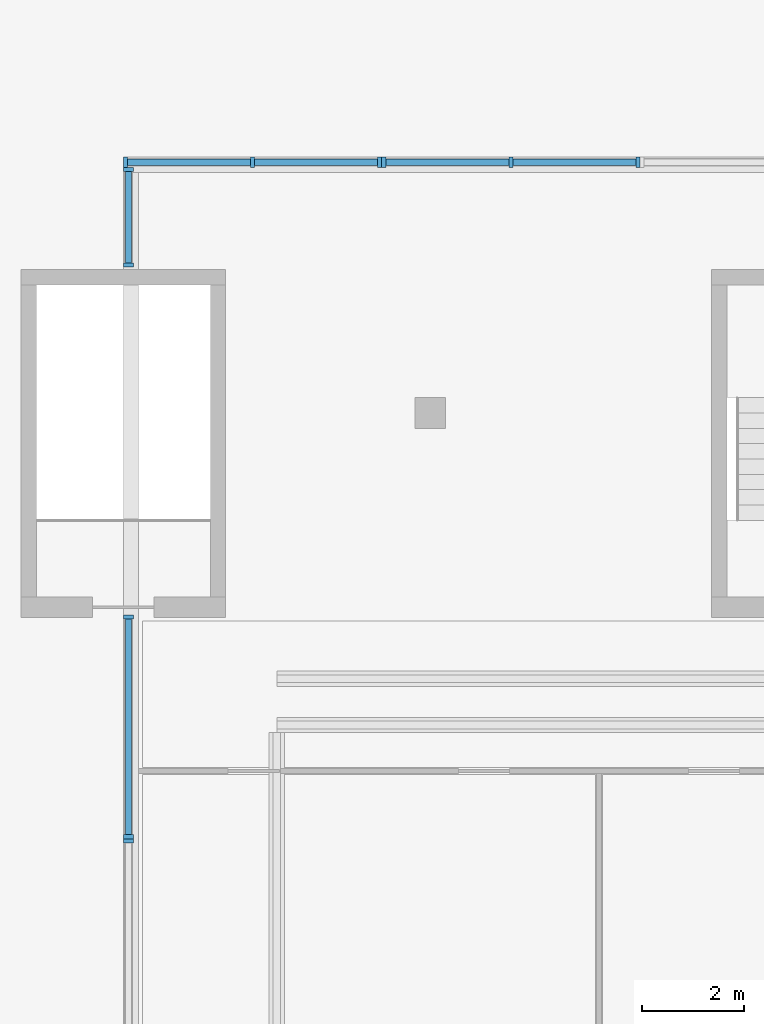
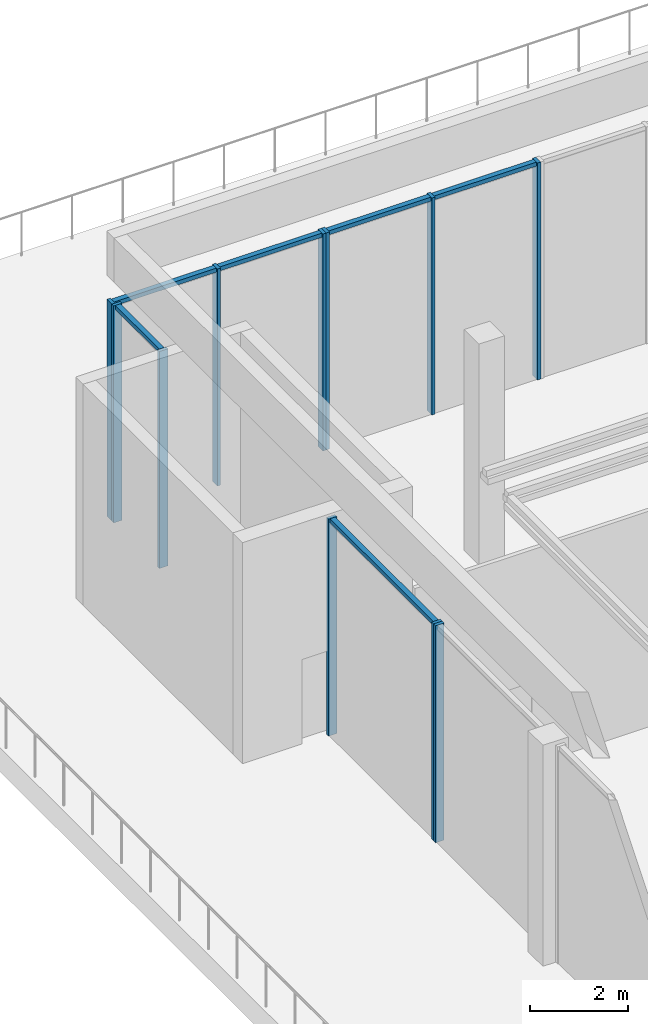
# One storey, part 4 of 11: 17 members, 5 elements without a shape of their own.
"""IFC4 building model written with IfcOpenShell, lengths in metres."""

from ifc_helpers import new_model, si_unit, direction, frame, origin, origin_2d, place, context, subcontext, project, spatial, rectangle, extrude, material, material_profile, profile_set, type_object, element, aggregate, save


model = new_model("IFC4")

# Units and contexts
model_context = context("Model", 3, precision=1e-05, world=origin(), true_north=direction((0.0, 1.0)))
body_context = subcontext(model_context, "Body", "Model", "MODEL_VIEW")
ifc_project = project(units=[si_unit("LENGTHUNIT", "METRE"), si_unit("AREAUNIT", "SQUARE_METRE"), si_unit("VOLUMEUNIT", "CUBIC_METRE"), si_unit("PLANEANGLEUNIT", "RADIAN"), si_unit("MASSUNIT", "GRAM", prefix="KILO")], contexts=[model_context])

# Site, building, storey
site_placement = place(None, origin())
site = spatial("IfcSite", under=ifc_project, at=site_placement, CompositionType="ELEMENT")
building_placement = place(site_placement, origin())
building = spatial("IfcBuilding", under=site, at=building_placement, Name="Calvaro Tower", CompositionType="ELEMENT")
storey_placement = place(building_placement, frame((0.0, 0.0, 271.949951171875)))
storey = spatial("IfcBuildingStorey", under=building, at=storey_placement, Name="L68", CompositionType="ELEMENT", Elevation=271.949951171875)

# Curtain wall, members
ifc_material_1 = material(Name="Anodised aluminium", Category="aluminium")
curtain_wall_type = type_object("IfcCurtainWallType", Name="Louvre wall", PredefinedType="NOTDEFINED", material=ifc_material_1)
curtain_wall_1_placement = place(storey_placement, origin())
curtain_wall_1 = element("IfcCurtainWall", 1, at=curtain_wall_1_placement, inside=storey, type_object=curtain_wall_type, Name="CW8 drum louvre wall", PredefinedType="NOTDEFINED")
ifc_material_2 = material(Name="Anodised aluminium", Category="aluminium")
ifc_material_profile_1 = material_profile(ifc_material_2, rectangle(XDim=0.199951171875, YDim=0.080078125, at=origin_2d()), Name="Mullion LV 80 x 200")
ifc_profile_set_1 = profile_set([ifc_material_profile_1], Name="Anodised aluminium")
member_type_1 = type_object("IfcMemberType", Name="Mullion LV 80 x 200", PredefinedType="MULLION", material=ifc_profile_set_1)
member_1_placement = place(storey_placement, frame((12.0400390625, 36.89990234375, 0.0), z_axis=(0.0, 0.0, 1.0), x_axis=(0.0, 1.0, 0.0)))
member_1 = element("IfcMember", 2, at=member_1_placement, type_object=member_type_1, Name="CW8 mullion 1", PredefinedType="MULLION", context=body_context, shape_type="SweptSolid", body=[
    extrude(rectangle(XDim=0.199951171875, YDim=0.080078125, at=origin_2d()), origin(), (0.0, 0.0, 1.0), 5.400146484375),
])
member_2_placement = place(storey_placement, frame((14.52490234375, 36.89990234375, 0.0), z_axis=(0.0, 0.0, 1.0), x_axis=(0.0, 1.0, 0.0)))
member_2 = element("IfcMember", 3, at=member_2_placement, type_object=member_type_1, Name="CW8 mullion 2", PredefinedType="MULLION", context=body_context, shape_type="SweptSolid", body=[
    extrude(rectangle(XDim=0.199951171875, YDim=0.080078125, at=origin_2d()), origin(), (0.0, 0.0, 1.0), 5.400146484375),
])
member_3_placement = place(storey_placement, frame((17.010009765625, 36.89990234375, 0.0), z_axis=(0.0, 0.0, 1.0), x_axis=(0.0, 1.0, 0.0)))
member_3 = element("IfcMember", 4, at=member_3_placement, type_object=member_type_1, Name="CW8 mullion 3", PredefinedType="MULLION", context=body_context, shape_type="SweptSolid", body=[
    extrude(rectangle(XDim=0.199951171875, YDim=0.080078125, at=origin_2d()), origin(), (0.0, 0.0, 1.0), 5.400146484375),
])

curtain_wall_2_placement = place(storey_placement, origin())
curtain_wall_2 = element("IfcCurtainWall", 5, at=curtain_wall_2_placement, inside=storey, type_object=curtain_wall_type, Name="CW8 drum louvre wall", PredefinedType="NOTDEFINED")
member_4_placement = place(storey_placement, frame((17.090087890625, 36.89990234375, 0.0), z_axis=(0.0, 0.0, 1.0), x_axis=(0.0, 1.0, 0.0)))
member_4 = element("IfcMember", 6, at=member_4_placement, type_object=member_type_1, Name="CW8 mullion 1", PredefinedType="MULLION", context=body_context, shape_type="SweptSolid", body=[
    extrude(rectangle(XDim=0.199951171875, YDim=0.080078125, at=origin_2d()), origin(), (0.0, 0.0, 1.0), 5.400146484375),
])
member_5_placement = place(storey_placement, frame((19.574951171875, 36.89990234375, 0.0), z_axis=(0.0, 0.0, 1.0), x_axis=(0.0, 1.0, 0.0)))
member_5 = element("IfcMember", 7, at=member_5_placement, type_object=member_type_1, Name="CW8 mullion 2", PredefinedType="MULLION", context=body_context, shape_type="SweptSolid", body=[
    extrude(rectangle(XDim=0.199951171875, YDim=0.080078125, at=origin_2d()), origin(), (0.0, 0.0, 1.0), 5.400146484375),
])
member_6_placement = place(storey_placement, frame((22.06005859375, 36.89990234375, 0.0), z_axis=(0.0, 0.0, 1.0), x_axis=(0.0, 1.0, 0.0)))
member_6 = element("IfcMember", 8, at=member_6_placement, type_object=member_type_1, Name="CW8 mullion 3", PredefinedType="MULLION", context=body_context, shape_type="SweptSolid", body=[
    extrude(rectangle(XDim=0.199951171875, YDim=0.080078125, at=origin_2d()), origin(), (0.0, 0.0, 1.0), 5.400146484375),
])

# Curtain wall, member
curtain_wall_3_placement = place(storey_placement, origin())
curtain_wall_3 = element("IfcCurtainWall", 9, at=curtain_wall_3_placement, inside=storey, type_object=curtain_wall_type, Name="CW8 drum louvre wall", PredefinedType="NOTDEFINED")
member_7_placement = place(storey_placement, frame((12.10009765625, 23.635009765625, 0.0), z_axis=(0.0, 0.0, 1.0), x_axis=(-1.0, 0.0, 0.0)))
member_7 = element("IfcMember", 10, at=member_7_placement, type_object=member_type_1, Name="CW8 mullion 2", PredefinedType="MULLION", context=body_context, shape_type="SweptSolid", body=[
    extrude(rectangle(XDim=0.199951171875, YDim=0.080078125, at=origin_2d()), origin(), (0.0, 0.0, 1.0), 5.400146484375),
])
aggregate(curtain_wall_3, [member_7])

# Curtain wall, members
curtain_wall_4_placement = place(storey_placement, origin())
curtain_wall_4 = element("IfcCurtainWall", 11, at=curtain_wall_4_placement, inside=storey, type_object=curtain_wall_type, Name="CW8 drum louvre wall", PredefinedType="NOTDEFINED")
member_8_placement = place(storey_placement, frame((12.10009765625, 23.715087890625, 0.0), z_axis=(0.0, 0.0, 1.0), x_axis=(-1.0, 0.0, 0.0)))
member_8 = element("IfcMember", 12, at=member_8_placement, type_object=member_type_1, Name="CW8 mullion 1", PredefinedType="MULLION", context=body_context, shape_type="SweptSolid", body=[
    extrude(rectangle(XDim=0.199951171875, YDim=0.080078125, at=origin_2d()), origin(), (0.0, 0.0, 1.0), 5.400146484375),
])
member_9_placement = place(storey_placement, frame((12.10009765625, 28.010009765625, 0.0), z_axis=(0.0, 0.0, 1.0), x_axis=(-1.0, 0.0, 0.0)))
member_9 = element("IfcMember", 13, at=member_9_placement, type_object=member_type_1, Name="CW8 mullion 2", PredefinedType="MULLION", context=body_context, shape_type="SweptSolid", body=[
    extrude(rectangle(XDim=0.199951171875, YDim=0.080078125, at=origin_2d()), origin(), (0.0, 0.0, 1.0), 5.400146484375),
])

curtain_wall_5_placement = place(storey_placement, origin())
curtain_wall_5 = element("IfcCurtainWall", 14, at=curtain_wall_5_placement, inside=storey, type_object=curtain_wall_type, Name="CW8 drum louvre wall", PredefinedType="NOTDEFINED")
member_10_placement = place(storey_placement, frame((12.10009765625, 34.889892578125, 0.0), z_axis=(0.0, 0.0, 1.0), x_axis=(-1.0, 0.0, 0.0)))
member_10 = element("IfcMember", 15, at=member_10_placement, type_object=member_type_1, Name="CW8 mullion 1", PredefinedType="MULLION", context=body_context, shape_type="SweptSolid", body=[
    extrude(rectangle(XDim=0.199951171875, YDim=0.080078125, at=origin_2d()), origin(), (0.0, 0.0, 1.0), 5.400146484375),
])
member_11_placement = place(storey_placement, frame((12.10009765625, 36.760009765625, 0.0), z_axis=(0.0, 0.0, 1.0), x_axis=(-1.0, 0.0, 0.0)))
member_11 = element("IfcMember", 16, at=member_11_placement, type_object=member_type_1, Name="CW8 mullion 2", PredefinedType="MULLION", context=body_context, shape_type="SweptSolid", body=[
    extrude(rectangle(XDim=0.199951171875, YDim=0.080078125, at=origin_2d()), origin(), (0.0, 0.0, 1.0), 5.400146484375),
])

# Member
ifc_material_3 = material(Name="Anodised aluminium", Category="aluminium")
ifc_material_profile_2 = material_profile(ifc_material_3, rectangle(XDim=0.1201171875, YDim=0.10009765625, at=origin_2d()), Name="Transom LV 100 x 120")
ifc_profile_set_2 = profile_set([ifc_material_profile_2], Name="Anodised aluminium")
member_type_2 = type_object("IfcMemberType", Name="Transom LV 100 x 120", PredefinedType="USERDEFINED", material=ifc_profile_set_2)
member_12_placement = place(storey_placement, frame((12.080078125, 36.89990234375, 5.35009765625), z_axis=(1.0, 0.0, 0.0), x_axis=(0.0, 1.0, 0.0)))
member_12 = element("IfcMember", 17, at=member_12_placement, type_object=member_type_2, Name="CW8 transom 1.1", ObjectType="TRANSOM", PredefinedType="USERDEFINED", context=body_context, shape_type="SweptSolid", body=[
    extrude(rectangle(XDim=0.1201171875, YDim=0.10009765625, at=origin_2d()), origin(), (0.0, 0.0, 1.0), 2.405029296875),
])

member_13_placement = place(storey_placement, frame((14.56494140625, 36.89990234375, 5.35009765625), z_axis=(1.0, 0.0, 0.0), x_axis=(0.0, 1.0, 0.0)))
member_13 = element("IfcMember", 18, at=member_13_placement, type_object=member_type_2, Name="CW8 transom 2.1", ObjectType="TRANSOM", PredefinedType="USERDEFINED", context=body_context, shape_type="SweptSolid", body=[
    extrude(rectangle(XDim=0.1201171875, YDim=0.10009765625, at=origin_2d()), origin(), (0.0, 0.0, 1.0), 2.405029296875),
])

aggregate(curtain_wall_1, [member_1, member_2, member_3, member_12, member_13])

member_14_placement = place(storey_placement, frame((17.1298828125, 36.89990234375, 5.35009765625), z_axis=(1.0, 0.0, 0.0), x_axis=(0.0, 1.0, 0.0)))
member_14 = element("IfcMember", 19, at=member_14_placement, type_object=member_type_2, Name="CW8 transom 1.1", ObjectType="TRANSOM", PredefinedType="USERDEFINED", context=body_context, shape_type="SweptSolid", body=[
    extrude(rectangle(XDim=0.1201171875, YDim=0.10009765625, at=origin_2d()), origin(), (0.0, 0.0, 1.0), 2.405029296875),
])

member_15_placement = place(storey_placement, frame((19.614990234375, 36.89990234375, 5.35009765625), z_axis=(1.0, 0.0, 0.0), x_axis=(0.0, 1.0, 0.0)))
member_15 = element("IfcMember", 20, at=member_15_placement, type_object=member_type_2, Name="CW8 transom 2.1", ObjectType="TRANSOM", PredefinedType="USERDEFINED", context=body_context, shape_type="SweptSolid", body=[
    extrude(rectangle(XDim=0.1201171875, YDim=0.10009765625, at=origin_2d()), origin(), (0.0, 0.0, 1.0), 2.405029296875),
])

aggregate(curtain_wall_2, [member_4, member_5, member_6, member_14, member_15])

member_16_placement = place(storey_placement, frame((12.10009765625, 23.7548828125, 5.35009765625), z_axis=(0.0, 1.0, 0.0), x_axis=(-1.0, 0.0, 0.0)))
member_16 = element("IfcMember", 21, at=member_16_placement, type_object=member_type_2, Name="CW8 transom 1.1", ObjectType="TRANSOM", PredefinedType="USERDEFINED", context=body_context, shape_type="SweptSolid", body=[
    extrude(rectangle(XDim=0.1201171875, YDim=0.10009765625, at=origin_2d()), origin(), (0.0, 0.0, 1.0), 4.215087890625),
])

aggregate(curtain_wall_4, [member_8, member_9, member_16])

member_17_placement = place(storey_placement, frame((12.10009765625, 34.929931640625, 5.35009765625), z_axis=(0.0, 1.0, 0.0), x_axis=(-1.0, 0.0, 0.0)))
member_17 = element("IfcMember", 22, at=member_17_placement, type_object=member_type_2, Name="CW8 transom 1.1", ObjectType="TRANSOM", PredefinedType="USERDEFINED", context=body_context, shape_type="SweptSolid", body=[
    extrude(rectangle(XDim=0.1201171875, YDim=0.10009765625, at=origin_2d()), origin(), (0.0, 0.0, 1.0), 1.7900390625),
])

aggregate(curtain_wall_5, [member_10, member_11, member_17])

save(model, "model.ifc")
